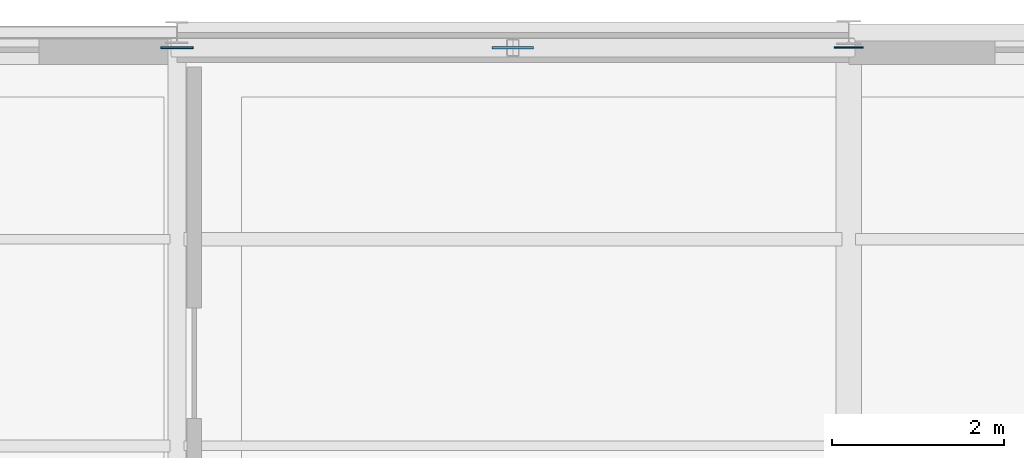
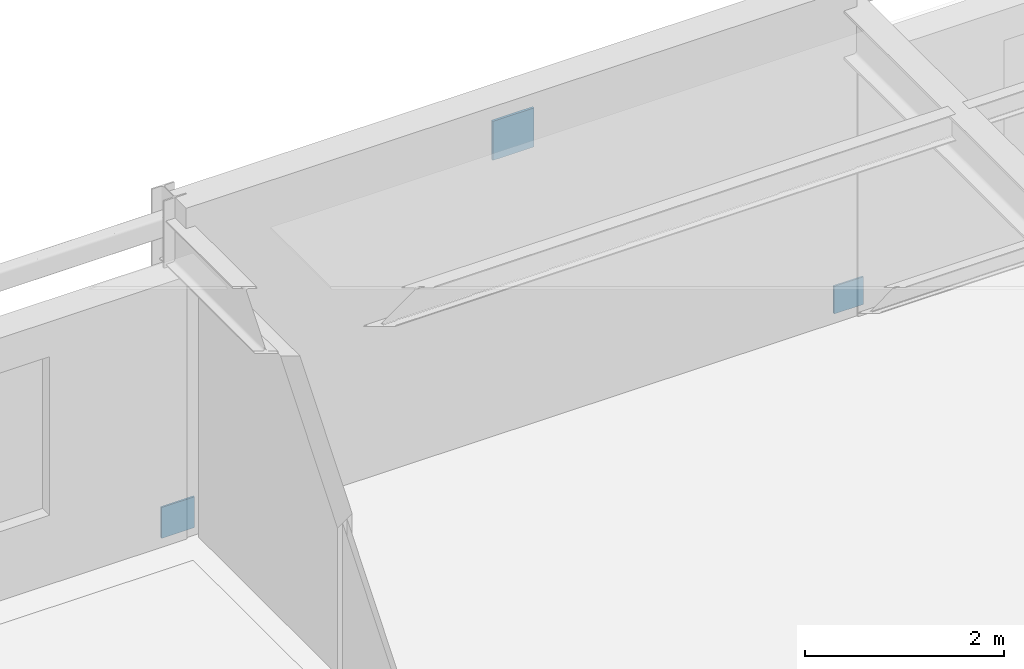
# One storey, part 47 of 58: 3 plates.
"""IFC4 building model written with IfcOpenShell, lengths in metres."""

from ifc_helpers import new_model, si_unit, derived_unit, direction, frame, origin, origin_2d, place, context, subcontext, project, spatial, rectangle, extrude, material, layer, layer_set, type_object, element, save


model = new_model("IFC4")

# Units and contexts
model_context = context("Model", 3, precision=1e-05, world=origin(), true_north=direction((0.0, 1.0)))
body_context = subcontext(model_context, "Body", "Model", "MODEL_VIEW")
ifc_project = project(units=[si_unit("LENGTHUNIT", "METRE"), si_unit("AREAUNIT", "SQUARE_METRE"), si_unit("VOLUMEUNIT", "CUBIC_METRE"), si_unit("PLANEANGLEUNIT", "RADIAN"), si_unit("MASSUNIT", "GRAM", prefix="KILO"), derived_unit("THERMALTRANSMITTANCEUNIT", [(si_unit("POWERUNIT", "WATT"), 1), (si_unit("AREAUNIT", "SQUARE_METRE"), -1), (si_unit("THERMODYNAMICTEMPERATUREUNIT", "KELVIN"), -1)])], contexts=[model_context])

# Site, building, storey
site_placement = place(None, origin())
site = spatial("IfcSite", under=ifc_project, at=site_placement, CompositionType="ELEMENT")
building_placement = place(site_placement, origin())
building = spatial("IfcBuilding", under=site, at=building_placement, Name="Yasenodar Specialist Clinic", CompositionType="ELEMENT")
storey_placement = place(building_placement, frame((0.0, 0.0, 21.300048828125)))
storey = spatial("IfcBuildingStorey", under=building, at=storey_placement, Name="L05", CompositionType="ELEMENT", Elevation=21.300048828125)

# Plates
ifc_material = material(Name="Steel S355", Category="steel")
ifc_layer_1 = layer(ifc_material, 0.02197265625)
ifc_layer_set_1 = layer_set([ifc_layer_1], Name="Steel S355")
plate_type_1 = type_object("IfcPlateType", Name="PL-STEEL-02", PredefinedType="SHEET", material=ifc_layer_set_1)
plate_1_placement = place(storey_placement, frame((81.0, 111.425048828125, -0.0400390625), z_axis=(0.0, 0.0, 1.0), x_axis=(1.0, 0.0, 0.0)))
element("IfcPlate", 1, at=plate_1_placement, inside=storey, type_object=plate_type_1, Name="L05 Hollow Section End-Cap Plate 0025", PredefinedType="SHEET", context=body_context, shape_type="SweptSolid", body=[
    extrude(rectangle(XDim=0.3798828125, YDim=0.02197265625, at=origin_2d()), origin(), (0.0, 0.0, 1.0), 0.3798828125),
])
ifc_layer_2 = layer(ifc_material, 0.02001953125)
ifc_layer_set_2 = layer_set([ifc_layer_2], Name="Steel S355")
plate_type_2 = type_object("IfcPlateType", Name="PL-STEEL-03", PredefinedType="SHEET", material=ifc_layer_set_2)
plate_2_placement = place(storey_placement, frame((88.800048828125, 111.425048828125, -0.02001953125), z_axis=(0.0, 0.0, 1.0), x_axis=(1.0, 0.0, 0.0)))
element("IfcPlate", 2, at=plate_2_placement, inside=storey, type_object=plate_type_2, Name="L05 Hollow Section End-Cap Plate 0026", PredefinedType="SHEET", context=body_context, shape_type="SweptSolid", body=[
    extrude(rectangle(XDim=0.340087890625, YDim=0.02001953125, at=origin_2d()), origin(), (0.0, 0.0, 1.0), 0.340087890625),
])
ifc_layer_3 = layer(ifc_material, 0.028076171875)
ifc_layer_set_3 = layer_set([ifc_layer_3], Name="Steel S355")
plate_type_3 = type_object("IfcPlateType", Name="PL-STEEL-06", PredefinedType="USERDEFINED", material=ifc_layer_set_3)
plate_3_placement = place(storey_placement, frame((84.89990234375, 111.425048828125, 3.260009765625), z_axis=(0.0, 0.0, 1.0), x_axis=(1.0, 0.0, 0.0)))
element("IfcPlate", 3, at=plate_3_placement, inside=storey, type_object=plate_type_3, Name="L05 Hollow Section End-Cap Plate 0027", ObjectType="CAP_PLATE", PredefinedType="USERDEFINED", context=body_context, shape_type="SweptSolid", body=[
    extrude(rectangle(XDim=0.47998046875, YDim=0.028076171875, at=origin_2d()), origin(), (0.0, 0.0, 1.0), 0.47998046875),
])

save(model, "model.ifc")
